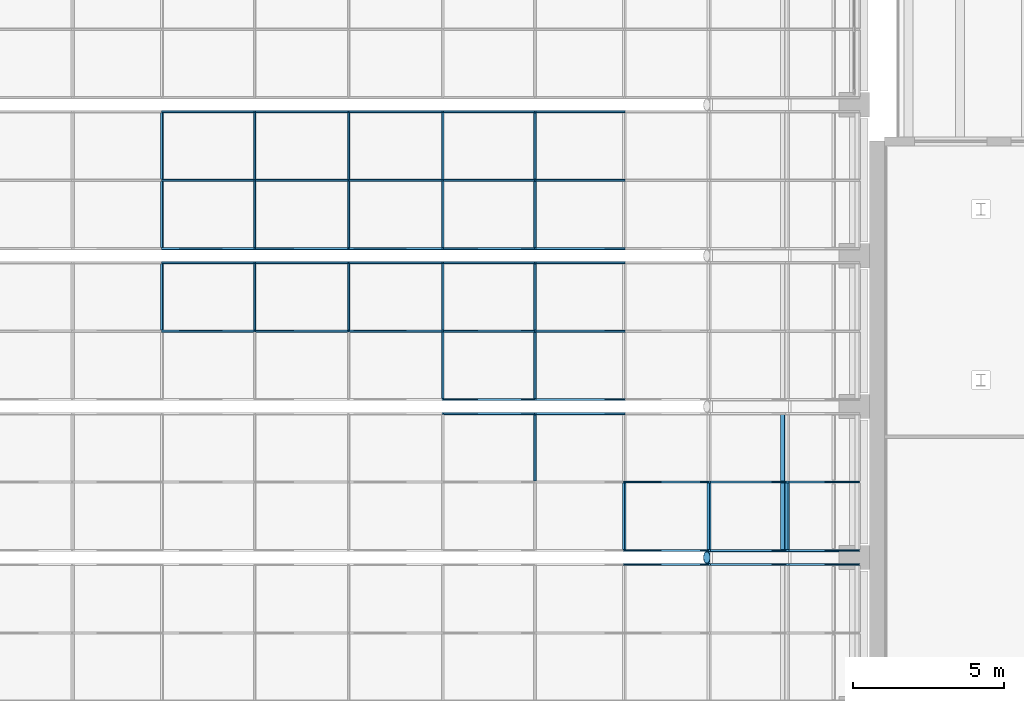
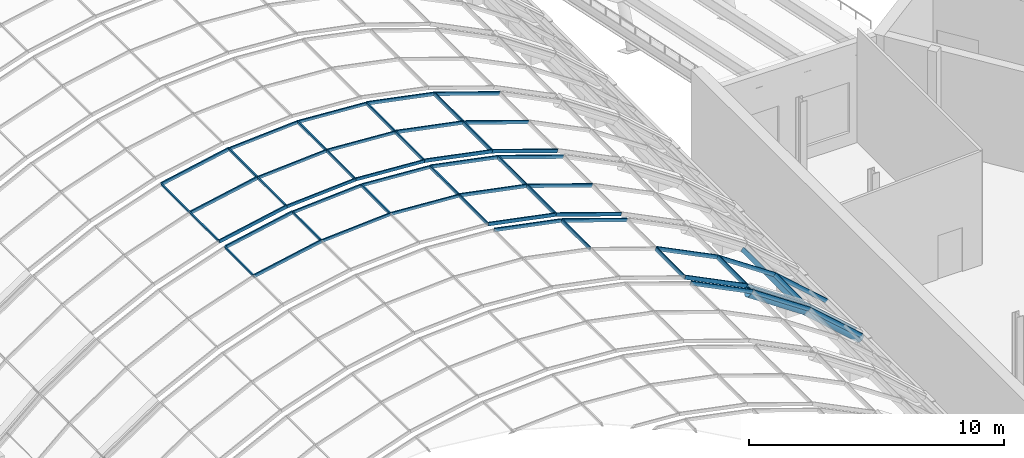
# One storey, part 81 of 182: 62 members, 4 elements without a shape of their own.
"""IFC4 building model written with IfcOpenShell, lengths in metres."""

import ifcopenshell
import ifcopenshell.guid

model = None  # the IFC model being written
_history = None  # IfcOwnerHistory: only IFC2X3 demands one
_inside = {}  # id of a spatial element -> (the spatial element, [elements in it])
_under = {}  # id of a project, library or spatial element -> (it, [spatial elements below it])
_declared = {}  # id of a project -> (the project, [libraries it declares])
_typed = {}  # id of a type object -> (the type object, [elements of that type])
_made_of = {}  # id of a material, layer set ... -> (it, [elements and type objects made of it])


def new_model(schema):
    """Start an empty IFC model of exactly this schema.

    Asked for "IFC4X3", IfcOpenShell would pick the latest addendum, in which some entities
    have other attributes; the version numbers below select the first issue.
    IFC2X3 requires an IfcOwnerHistory on every rooted entity: one is made here for all.
    """
    global model, _history
    if schema == "IFC4X3":
        model = ifcopenshell.file(schema_version=(4, 3, 0, 0))
    else:
        model = ifcopenshell.file(schema=schema)
    _inside.clear()
    _under.clear()
    _declared.clear()
    _typed.clear()
    _made_of.clear()
    _history = None
    if model.schema == "IFC2X3":
        org = make("IfcOrganization", Name="unknown")
        user = make(
            "IfcPersonAndOrganization",
            ThePerson=make("IfcPerson", FamilyName="unknown"),
            TheOrganization=org,
        )
        app = make(
            "IfcApplication",
            ApplicationDeveloper=org,
            Version="unknown",
            ApplicationFullName="unknown",
            ApplicationIdentifier="unknown",
        )
        _history = make(
            "IfcOwnerHistory",
            OwningUser=user,
            OwningApplication=app,
            ChangeAction="ADDED",
            CreationDate=0,
        )
    return model


def make(cls, **values):
    """One entity of the class cls with the attributes given. An attribute that is None is left unset."""
    return model.create_entity(
        cls, **{name: value for name, value in values.items() if value is not None}
    )


def rooted(cls, **values):
    """An entity with a GlobalId (a new one), such as an element, a storey or a relation."""
    return make(cls, GlobalId=ifcopenshell.guid.new(), OwnerHistory=_history, **values)


def si_unit(unit_type, name, prefix=None):
    """IfcSIUnit, for example si_unit("LENGTHUNIT", "METRE", prefix="MILLI")."""
    return make("IfcSIUnit", UnitType=unit_type, Prefix=prefix, Name=name)


def assignment(units):
    """IfcUnitAssignment: the units of a project."""
    return None if units is None else make("IfcUnitAssignment", Units=units)


def point(xyz):
    """IfcCartesianPoint."""
    return None if xyz is None else make("IfcCartesianPoint", Coordinates=xyz)


def direction(xyz):
    """IfcDirection."""
    return None if xyz is None else make("IfcDirection", DirectionRatios=xyz)


def frame(location, z_axis=None, x_axis=None):
    """IfcAxis2Placement3D, a coordinate frame: its origin and axes. An axis left out is left unset."""
    return make(
        "IfcAxis2Placement3D",
        Location=point(location),
        Axis=direction(z_axis),
        RefDirection=direction(x_axis),
    )


def frame_2d(location, x_axis=None):
    """IfcAxis2Placement2D, a coordinate frame in the plane: its origin and x axis."""
    return make(
        "IfcAxis2Placement2D", Location=point(location), RefDirection=direction(x_axis)
    )


def origin():
    """The frame at (0, 0, 0) with its axes left unset."""
    return frame((0.0, 0.0, 0.0))


def origin_2d():
    """The frame at (0, 0) in the plane with its x axis left unset."""
    return frame_2d((0.0, 0.0))


def place(relative_to, where):
    """IfcLocalPlacement: puts the frame where relative to a parent placement (None: the world)."""
    return make(
        "IfcLocalPlacement", PlacementRelTo=relative_to, RelativePlacement=where
    )


def context(
    kind, dimensions, precision=None, world=None, true_north=None, identifier=None
):
    """IfcGeometricRepresentationContext, for example the 3D "Model" context."""
    return make(
        "IfcGeometricRepresentationContext",
        ContextIdentifier=identifier,
        ContextType=kind,
        CoordinateSpaceDimension=dimensions,
        Precision=precision,
        WorldCoordinateSystem=world,
        TrueNorth=true_north,
    )


def subcontext(parent, identifier, kind, view, scale=None):
    """IfcGeometricRepresentationSubContext, for example "Body" below "Model"."""
    return make(
        "IfcGeometricRepresentationSubContext",
        ContextIdentifier=identifier,
        ContextType=kind,
        ParentContext=parent,
        TargetScale=scale,
        TargetView=view,
    )


def project(units=None, contexts=None):
    """IfcProject with its units and contexts."""
    return rooted(
        "IfcProject",
        Name="project",
        RepresentationContexts=contexts,
        UnitsInContext=assignment(units),
    )


def spatial(cls, under=None, at=None, **own):
    """A site, building, storey or space (cls), placed at a placement, below another one or the project."""
    s = rooted(cls, ObjectPlacement=at, **own)
    if under is not None:
        _under.setdefault(under.id(), (under, []))[1].append(s)
    return s


def profile(cls, at=None, kind="AREA", **sizes):
    """A parametric profile (cls). Its sizes go by their IFC names, for example OverallWidth=200.0."""
    return make(cls, ProfileType=kind, Position=at, **sizes)


def rectangle(**sizes):
    """IfcRectangleProfileDef."""
    return profile("IfcRectangleProfileDef", **sizes)


def hollow_rectangle(**sizes):
    """IfcRectangleHollowProfileDef."""
    return profile("IfcRectangleHollowProfileDef", **sizes)


def hollow_circle(**sizes):
    """IfcCircleHollowProfileDef."""
    return profile("IfcCircleHollowProfileDef", **sizes)


def extrude(swept, where, along, depth):
    """IfcExtrudedAreaSolid: the profile swept, set in the frame where, extruded along a direction by depth."""
    return make(
        "IfcExtrudedAreaSolid",
        SweptArea=swept,
        Position=where,
        ExtrudedDirection=direction(along),
        Depth=depth,
    )


def shape(context_of_items, identifier, shape_type, items):
    """IfcShapeRepresentation: the items that make up one representation, for example the "Body"."""
    return make(
        "IfcShapeRepresentation",
        ContextOfItems=context_of_items,
        RepresentationIdentifier=identifier,
        RepresentationType=shape_type,
        Items=items,
    )


def material(Name=None, Category=None):
    """IfcMaterial."""
    return make("IfcMaterial", Name=Name, Category=Category)


def material_profile(
    of_material, cross_section, Name=None, Category=None, Priority=None
):
    """IfcMaterialProfile: a cross section and its material."""
    return make(
        "IfcMaterialProfile",
        Name=Name,
        Material=of_material,
        Profile=cross_section,
        Priority=Priority,
        Category=Category,
    )


def profile_set(profiles, Name=None, composite=None):
    """IfcMaterialProfileSet."""
    return make(
        "IfcMaterialProfileSet",
        Name=Name,
        MaterialProfiles=profiles,
        CompositeProfile=composite,
    )


def made_of(thing, what):
    """Note that an element or type object is made of a material, layer set ...; save() writes the relation."""
    if what is not None:
        _made_of.setdefault(what.id(), (what, []))[1].append(thing)
    return thing


def type_object(cls, material=None, **own):
    """A type object (cls), such as IfcWallType, which elements share."""
    return made_of(rooted(cls, **own), material)


def element(
    cls,
    number,
    at=None,
    inside=None,
    cuts=None,
    type_object=None,
    material=None,
    context=None,
    identifier="Body",
    shape_type=None,
    held_by="IfcProductDefinitionShape",
    body=None,
    shapes=None,
    **own,
):
    """One element of the class cls, such as IfcWall. Its Tag is "e" and its number.

    at: its placement. inside: the storey or other place that contains it. cuts: it is an
    opening in that element (IfcRelVoidsElement). A single representation is given by context,
    identifier, shape_type and body (its items); several are given by shapes. held_by: the class
    of the entity that holds the representations. save() writes the other relations.
    """
    e = rooted(cls, Tag="e%d" % number, ObjectPlacement=at, **own)
    if body is not None:
        shapes = [shape(context, identifier, shape_type, body)]
    if shapes is not None:
        e.Representation = make(held_by, Representations=shapes)
    if inside is not None:
        _inside.setdefault(inside.id(), (inside, []))[1].append(e)
    if cuts is not None:
        rooted(
            "IfcRelVoidsElement", RelatingBuildingElement=cuts, RelatedOpeningElement=e
        )
    if type_object is not None:
        _typed.setdefault(type_object.id(), (type_object, []))[1].append(e)
    return made_of(e, material)


def aggregate(whole, parts):
    """IfcRelAggregates: a whole, such as a stair, and the parts it consists of."""
    return rooted("IfcRelAggregates", RelatingObject=whole, RelatedObjects=parts)


def save(model, path):
    """Write the relations noted so far, then the file.

    IfcRelAggregates (storeys below a building ...), IfcRelContainedInSpatialStructure (elements
    in a storey), IfcRelDefinesByType, IfcRelAssociatesMaterial and IfcRelDeclares: one each for
    every whole, place, type object, material and project.
    """
    for whole, parts in _under.values():
        aggregate(whole, parts)
    for where, things in _inside.values():
        rooted(
            "IfcRelContainedInSpatialStructure",
            RelatedElements=things,
            RelatingStructure=where,
        )
    for kind, things in _typed.values():
        rooted("IfcRelDefinesByType", RelatedObjects=things, RelatingType=kind)
    for what, things in _made_of.values():
        rooted("IfcRelAssociatesMaterial", RelatedObjects=things, RelatingMaterial=what)
    for by, libraries in _declared.values():
        rooted("IfcRelDeclares", RelatingContext=by, RelatedDefinitions=libraries)
    model.write(path)


model = new_model("IFC4")

# Units and contexts
model_context = context("Model", 3, precision=1e-05, world=origin(), true_north=direction((0.0, 1.0)))
body_context = subcontext(model_context, "Body", "Model", "MODEL_VIEW")
ifc_project = project(units=[si_unit("LENGTHUNIT", "METRE"), si_unit("AREAUNIT", "SQUARE_METRE"), si_unit("VOLUMEUNIT", "CUBIC_METRE"), si_unit("PLANEANGLEUNIT", "RADIAN"), si_unit("MASSUNIT", "GRAM", prefix="KILO")], contexts=[model_context])

# Site, building, storey
site_placement = place(None, origin())
site = spatial("IfcSite", under=ifc_project, at=site_placement, CompositionType="ELEMENT")
building_placement = place(site_placement, origin())
building = spatial("IfcBuilding", under=site, at=building_placement, Name="Okhra Congress Centre", CompositionType="ELEMENT")
storey_placement = place(building_placement, frame((0.0, 0.0, 7.199951171875)))
storey = spatial("IfcBuildingStorey", under=building, at=storey_placement, Name="L01", CompositionType="ELEMENT", Elevation=7.199951171875)

# Curtain wall, members
ifc_material_1 = material(Name="Aluminium frame with triple glazing", Category="aluminium")
curtain_wall_type = type_object("IfcCurtainWallType", Name="Glazed vault bay curtain wall", PredefinedType="NOTDEFINED", material=ifc_material_1)
curtain_wall_1_placement = place(storey_placement, origin())
curtain_wall_1 = element("IfcCurtainWall", 1, at=curtain_wall_1_placement, inside=storey, type_object=curtain_wall_type, Name="Vault glazing bay 24", PredefinedType="NOTDEFINED")
ifc_material_2 = material(Name="Aluminium alloy 6063", Category="aluminium")
ifc_material_profile_1 = material_profile(ifc_material_2, rectangle(XDim=0.06005859375, YDim=0.139892578125, at=origin_2d()), Name="AL 60x140")
ifc_profile_set_1 = profile_set([ifc_material_profile_1], Name="Aluminium alloy 6063")
member_type_1 = type_object("IfcMemberType", Name="Aluminium mullion 60x140", PredefinedType="MULLION", material=ifc_profile_set_1)
member_1_placement = place(storey_placement, frame((169.1337890625, 193.5, 8.7392578125), z_axis=(0.997826129775, 0.0, 0.065901553385), x_axis=(0.0, 1.0, 0.0)))
member_1 = element("IfcMember", 2, at=member_1_placement, type_object=member_type_1, Name="Vault mullion 24.2.6", PredefinedType="MULLION", context=body_context, shape_type="SweptSolid", body=[
    extrude(rectangle(XDim=0.06005859375, YDim=0.139892578125, at=origin_2d()), origin(), (0.0, 0.0, 1.0), 3.123046875),
])
member_2_placement = place(storey_placement, frame((172.25, 193.5, 8.945068359375), z_axis=(0.997826129775, 0.0, -0.065901553385), x_axis=(0.0, 1.0, 0.0)))
member_2 = element("IfcMember", 3, at=member_2_placement, type_object=member_type_1, Name="Vault mullion 24.2.7", PredefinedType="MULLION", context=body_context, shape_type="SweptSolid", body=[
    extrude(rectangle(XDim=0.06005859375, YDim=0.139892578125, at=origin_2d()), origin(), (0.0, 0.0, 1.0), 3.123046875),
])
member_3_placement = place(storey_placement, frame((169.1337890625, 195.766845703125, 8.7392578125), z_axis=(0.997826129775, 0.0, 0.065901553385), x_axis=(0.0, 1.0, 0.0)))
member_3 = element("IfcMember", 4, at=member_3_placement, type_object=member_type_1, Name="Vault mullion 24.3.6", PredefinedType="MULLION", context=body_context, shape_type="SweptSolid", body=[
    extrude(rectangle(XDim=0.06005859375, YDim=0.139892578125, at=origin_2d()), origin(), (0.0, 0.0, 1.0), 3.123046875),
])
member_4_placement = place(storey_placement, frame((172.25, 195.766845703125, 8.945068359375), z_axis=(0.997826129775, 0.0, -0.065901553385), x_axis=(0.0, 1.0, 0.0)))
member_4 = element("IfcMember", 5, at=member_4_placement, type_object=member_type_1, Name="Vault mullion 24.3.7", PredefinedType="MULLION", context=body_context, shape_type="SweptSolid", body=[
    extrude(rectangle(XDim=0.06005859375, YDim=0.139892578125, at=origin_2d()), origin(), (0.0, 0.0, 1.0), 3.123046875),
])

curtain_wall_2_placement = place(storey_placement, origin())
curtain_wall_2 = element("IfcCurtainWall", 6, at=curtain_wall_2_placement, inside=storey, type_object=curtain_wall_type, Name="Vault glazing bay 25", PredefinedType="NOTDEFINED")
member_5_placement = place(storey_placement, frame((169.1337890625, 196.233154296875, 8.7392578125), z_axis=(0.997826129775, 0.0, 0.065901553385), x_axis=(0.0, 1.0, 0.0)))
member_5 = element("IfcMember", 7, at=member_5_placement, type_object=member_type_1, Name="Vault mullion 25.1.6", PredefinedType="MULLION", context=body_context, shape_type="SweptSolid", body=[
    extrude(rectangle(XDim=0.06005859375, YDim=0.139892578125, at=origin_2d()), origin(), (0.0, 0.0, 1.0), 3.123046875),
])
member_6_placement = place(storey_placement, frame((172.25, 196.233154296875, 8.945068359375), z_axis=(0.997826129775, 0.0, -0.065901553385), x_axis=(0.0, 1.0, 0.0)))
member_6 = element("IfcMember", 8, at=member_6_placement, type_object=member_type_1, Name="Vault mullion 25.1.7", PredefinedType="MULLION", context=body_context, shape_type="SweptSolid", body=[
    extrude(rectangle(XDim=0.06005859375, YDim=0.139892578125, at=origin_2d()), origin(), (0.0, 0.0, 1.0), 3.123046875),
])
member_7_placement = place(storey_placement, frame((169.1337890625, 198.5, 8.7392578125), z_axis=(0.997826129775, 0.0, 0.065901553385), x_axis=(0.0, 1.0, 0.0)))
member_7 = element("IfcMember", 9, at=member_7_placement, type_object=member_type_1, Name="Vault mullion 25.2.6", PredefinedType="MULLION", context=body_context, shape_type="SweptSolid", body=[
    extrude(rectangle(XDim=0.06005859375, YDim=0.139892578125, at=origin_2d()), origin(), (0.0, 0.0, 1.0), 3.123046875),
])
member_8_placement = place(storey_placement, frame((172.25, 198.5, 8.945068359375), z_axis=(0.997826129775, 0.0, -0.065901553385), x_axis=(0.0, 1.0, 0.0)))
member_8 = element("IfcMember", 10, at=member_8_placement, type_object=member_type_1, Name="Vault mullion 25.2.7", PredefinedType="MULLION", context=body_context, shape_type="SweptSolid", body=[
    extrude(rectangle(XDim=0.06005859375, YDim=0.139892578125, at=origin_2d()), origin(), (0.0, 0.0, 1.0), 3.123046875),
])
member_9_placement = place(storey_placement, frame((169.1337890625, 200.766845703125, 8.7392578125), z_axis=(0.997826129775, 0.0, 0.065901553385), x_axis=(0.0, 1.0, 0.0)))
member_9 = element("IfcMember", 11, at=member_9_placement, type_object=member_type_1, Name="Vault mullion 25.3.6", PredefinedType="MULLION", context=body_context, shape_type="SweptSolid", body=[
    extrude(rectangle(XDim=0.06005859375, YDim=0.139892578125, at=origin_2d()), origin(), (0.0, 0.0, 1.0), 3.123046875),
])
member_10_placement = place(storey_placement, frame((172.25, 200.766845703125, 8.945068359375), z_axis=(0.997826129775, 0.0, -0.065901553385), x_axis=(0.0, 1.0, 0.0)))
member_10 = element("IfcMember", 12, at=member_10_placement, type_object=member_type_1, Name="Vault mullion 25.3.7", PredefinedType="MULLION", context=body_context, shape_type="SweptSolid", body=[
    extrude(rectangle(XDim=0.06005859375, YDim=0.139892578125, at=origin_2d()), origin(), (0.0, 0.0, 1.0), 3.123046875),
])

curtain_wall_3_placement = place(storey_placement, origin())
curtain_wall_3 = element("IfcCurtainWall", 13, at=curtain_wall_3_placement, inside=storey, type_object=curtain_wall_type, Name="Vault glazing bay 23", PredefinedType="NOTDEFINED")
ifc_material_profile_2 = material_profile(ifc_material_2, rectangle(XDim=0.06005859375, YDim=0.159912109375, at=origin_2d()), Name="AL 60x160")
ifc_profile_set_2 = profile_set([ifc_material_profile_2], Name="Aluminium alloy 6063")
member_type_2 = type_object("IfcMemberType", Name="Aluminium mullion 60x160", PredefinedType="MULLION", material=ifc_profile_set_2)
member_11_placement = place(storey_placement, frame((175.367431640625, 190.766845703125, 8.7490234375), z_axis=(0.980484387086, 0.0, -0.196596965087), x_axis=(0.0, 1.0, 0.0)))
member_11 = element("IfcMember", 14, at=member_11_placement, type_object=member_type_2, Name="Vault mullion 23.3.8", PredefinedType="MULLION", context=body_context, shape_type="SweptSolid", body=[
    extrude(rectangle(XDim=0.06005859375, YDim=0.159912109375, at=origin_2d()), origin(), (0.0, 0.0, 1.0), 3.12451171875),
])
member_12_placement = place(storey_placement, frame((178.430908203125, 190.766845703125, 8.134765625), z_axis=(0.946065064306, 0.0, -0.323976687587), x_axis=(0.0, 1.0, 0.0)))
member_12 = element("IfcMember", 15, at=member_12_placement, type_object=member_type_2, Name="Vault mullion 23.3.9", PredefinedType="MULLION", context=body_context, shape_type="SweptSolid", body=[
    extrude(rectangle(XDim=0.06005859375, YDim=0.159912109375, at=origin_2d()), origin(), (0.0, 0.0, 1.0), 3.124267578125),
])

# Member
member_13_placement = place(storey_placement, frame((175.367431640625, 191.233154296875, 8.7490234375), z_axis=(0.980484387086, 0.0, -0.196596965087), x_axis=(0.0, 1.0, 0.0)))
member_13 = element("IfcMember", 16, at=member_13_placement, type_object=member_type_2, Name="Vault mullion 24.1.8", PredefinedType="MULLION", context=body_context, shape_type="SweptSolid", body=[
    extrude(rectangle(XDim=0.06005859375, YDim=0.159912109375, at=origin_2d()), origin(), (0.0, 0.0, 1.0), 3.12451171875),
])

member_14_placement = place(storey_placement, frame((178.430908203125, 191.233154296875, 8.134765625), z_axis=(0.946065064306, 0.0, -0.323976687587), x_axis=(0.0, 1.0, 0.0)))
member_14 = element("IfcMember", 17, at=member_14_placement, type_object=member_type_2, Name="Vault mullion 24.1.9", PredefinedType="MULLION", context=body_context, shape_type="SweptSolid", body=[
    extrude(rectangle(XDim=0.06005859375, YDim=0.159912109375, at=origin_2d()), origin(), (0.0, 0.0, 1.0), 3.124267578125),
])

member_15_placement = place(storey_placement, frame((166.069091796875, 193.5, 8.134765625), z_axis=(0.980484387086, 0.0, 0.196596965087), x_axis=(0.0, 1.0, 0.0)))
member_15 = element("IfcMember", 18, at=member_15_placement, type_object=member_type_2, Name="Vault mullion 24.2.5", PredefinedType="MULLION", context=body_context, shape_type="SweptSolid", body=[
    extrude(rectangle(XDim=0.06005859375, YDim=0.159912109375, at=origin_2d()), origin(), (0.0, 0.0, 1.0), 3.12451171875),
])

member_16_placement = place(storey_placement, frame((175.367431640625, 193.5, 8.7490234375), z_axis=(0.980484387086, 0.0, -0.196596965087), x_axis=(0.0, 1.0, 0.0)))
member_16 = element("IfcMember", 19, at=member_16_placement, type_object=member_type_2, Name="Vault mullion 24.2.8", PredefinedType="MULLION", context=body_context, shape_type="SweptSolid", body=[
    extrude(rectangle(XDim=0.06005859375, YDim=0.159912109375, at=origin_2d()), origin(), (0.0, 0.0, 1.0), 3.12451171875),
])

member_17_placement = place(storey_placement, frame((178.430908203125, 193.5, 8.134765625), z_axis=(0.946065064306, 0.0, -0.323976687587), x_axis=(0.0, 1.0, 0.0)))
member_17 = element("IfcMember", 20, at=member_17_placement, type_object=member_type_2, Name="Vault mullion 24.2.9", PredefinedType="MULLION", context=body_context, shape_type="SweptSolid", body=[
    extrude(rectangle(XDim=0.06005859375, YDim=0.159912109375, at=origin_2d()), origin(), (0.0, 0.0, 1.0), 3.124267578125),
])

member_18_placement = place(storey_placement, frame((166.069091796875, 195.766845703125, 8.134765625), z_axis=(0.980484387086, 0.0, 0.196596965087), x_axis=(0.0, 1.0, 0.0)))
member_18 = element("IfcMember", 21, at=member_18_placement, type_object=member_type_2, Name="Vault mullion 24.3.5", PredefinedType="MULLION", context=body_context, shape_type="SweptSolid", body=[
    extrude(rectangle(XDim=0.06005859375, YDim=0.159912109375, at=origin_2d()), origin(), (0.0, 0.0, 1.0), 3.12451171875),
])

member_19_placement = place(storey_placement, frame((175.367431640625, 195.766845703125, 8.7490234375), z_axis=(0.980484387086, 0.0, -0.196596965087), x_axis=(0.0, 1.0, 0.0)))
member_19 = element("IfcMember", 22, at=member_19_placement, type_object=member_type_2, Name="Vault mullion 24.3.8", PredefinedType="MULLION", context=body_context, shape_type="SweptSolid", body=[
    extrude(rectangle(XDim=0.06005859375, YDim=0.159912109375, at=origin_2d()), origin(), (0.0, 0.0, 1.0), 3.12451171875),
])

member_20_placement = place(storey_placement, frame((178.430908203125, 195.766845703125, 8.134765625), z_axis=(0.946065064306, 0.0, -0.323976687587), x_axis=(0.0, 1.0, 0.0)))
member_20 = element("IfcMember", 23, at=member_20_placement, type_object=member_type_2, Name="Vault mullion 24.3.9", PredefinedType="MULLION", context=body_context, shape_type="SweptSolid", body=[
    extrude(rectangle(XDim=0.06005859375, YDim=0.159912109375, at=origin_2d()), origin(), (0.0, 0.0, 1.0), 3.124267578125),
])

member_21_placement = place(storey_placement, frame((166.069091796875, 196.233154296875, 8.134765625), z_axis=(0.980484387086, 0.0, 0.196596965087), x_axis=(0.0, 1.0, 0.0)))
member_21 = element("IfcMember", 24, at=member_21_placement, type_object=member_type_2, Name="Vault mullion 25.1.5", PredefinedType="MULLION", context=body_context, shape_type="SweptSolid", body=[
    extrude(rectangle(XDim=0.06005859375, YDim=0.159912109375, at=origin_2d()), origin(), (0.0, 0.0, 1.0), 3.12451171875),
])

member_22_placement = place(storey_placement, frame((175.367431640625, 196.233154296875, 8.7490234375), z_axis=(0.980484387086, 0.0, -0.196596965087), x_axis=(0.0, 1.0, 0.0)))
member_22 = element("IfcMember", 25, at=member_22_placement, type_object=member_type_2, Name="Vault mullion 25.1.8", PredefinedType="MULLION", context=body_context, shape_type="SweptSolid", body=[
    extrude(rectangle(XDim=0.06005859375, YDim=0.159912109375, at=origin_2d()), origin(), (0.0, 0.0, 1.0), 3.12451171875),
])

member_23_placement = place(storey_placement, frame((178.430908203125, 196.233154296875, 8.134765625), z_axis=(0.946065064306, 0.0, -0.323976687587), x_axis=(0.0, 1.0, 0.0)))
member_23 = element("IfcMember", 26, at=member_23_placement, type_object=member_type_2, Name="Vault mullion 25.1.9", PredefinedType="MULLION", context=body_context, shape_type="SweptSolid", body=[
    extrude(rectangle(XDim=0.06005859375, YDim=0.159912109375, at=origin_2d()), origin(), (0.0, 0.0, 1.0), 3.124267578125),
])

member_24_placement = place(storey_placement, frame((166.069091796875, 198.5, 8.134765625), z_axis=(0.980484387086, 0.0, 0.196596965087), x_axis=(0.0, 1.0, 0.0)))
member_24 = element("IfcMember", 27, at=member_24_placement, type_object=member_type_2, Name="Vault mullion 25.2.5", PredefinedType="MULLION", context=body_context, shape_type="SweptSolid", body=[
    extrude(rectangle(XDim=0.06005859375, YDim=0.159912109375, at=origin_2d()), origin(), (0.0, 0.0, 1.0), 3.12451171875),
])

member_25_placement = place(storey_placement, frame((175.367431640625, 198.5, 8.7490234375), z_axis=(0.980484387086, 0.0, -0.196596965087), x_axis=(0.0, 1.0, 0.0)))
member_25 = element("IfcMember", 28, at=member_25_placement, type_object=member_type_2, Name="Vault mullion 25.2.8", PredefinedType="MULLION", context=body_context, shape_type="SweptSolid", body=[
    extrude(rectangle(XDim=0.06005859375, YDim=0.159912109375, at=origin_2d()), origin(), (0.0, 0.0, 1.0), 3.12451171875),
])

member_26_placement = place(storey_placement, frame((178.430908203125, 198.5, 8.134765625), z_axis=(0.946065064306, 0.0, -0.323976687587), x_axis=(0.0, 1.0, 0.0)))
member_26 = element("IfcMember", 29, at=member_26_placement, type_object=member_type_2, Name="Vault mullion 25.2.9", PredefinedType="MULLION", context=body_context, shape_type="SweptSolid", body=[
    extrude(rectangle(XDim=0.06005859375, YDim=0.159912109375, at=origin_2d()), origin(), (0.0, 0.0, 1.0), 3.124267578125),
])

member_27_placement = place(storey_placement, frame((166.069091796875, 200.766845703125, 8.134765625), z_axis=(0.980484387086, 0.0, 0.196596965087), x_axis=(0.0, 1.0, 0.0)))
member_27 = element("IfcMember", 30, at=member_27_placement, type_object=member_type_2, Name="Vault mullion 25.3.5", PredefinedType="MULLION", context=body_context, shape_type="SweptSolid", body=[
    extrude(rectangle(XDim=0.06005859375, YDim=0.159912109375, at=origin_2d()), origin(), (0.0, 0.0, 1.0), 3.12451171875),
])

member_28_placement = place(storey_placement, frame((175.367431640625, 200.766845703125, 8.7490234375), z_axis=(0.980484387086, 0.0, -0.196596965087), x_axis=(0.0, 1.0, 0.0)))
member_28 = element("IfcMember", 31, at=member_28_placement, type_object=member_type_2, Name="Vault mullion 25.3.8", PredefinedType="MULLION", context=body_context, shape_type="SweptSolid", body=[
    extrude(rectangle(XDim=0.06005859375, YDim=0.159912109375, at=origin_2d()), origin(), (0.0, 0.0, 1.0), 3.12451171875),
])

member_29_placement = place(storey_placement, frame((178.430908203125, 200.766845703125, 8.134765625), z_axis=(0.946065064306, 0.0, -0.323976687587), x_axis=(0.0, 1.0, 0.0)))
member_29 = element("IfcMember", 32, at=member_29_placement, type_object=member_type_2, Name="Vault mullion 25.3.9", PredefinedType="MULLION", context=body_context, shape_type="SweptSolid", body=[
    extrude(rectangle(XDim=0.06005859375, YDim=0.159912109375, at=origin_2d()), origin(), (0.0, 0.0, 1.0), 3.124267578125),
])

# Curtain wall, members
curtain_wall_4_placement = place(storey_placement, origin())
curtain_wall_4 = element("IfcCurtainWall", 33, at=curtain_wall_4_placement, inside=storey, type_object=curtain_wall_type, Name="Vault glazing bay 22", PredefinedType="NOTDEFINED")
ifc_material_profile_3 = material_profile(ifc_material_2, rectangle(XDim=0.06005859375, YDim=0.179931640625, at=origin_2d()), Name="AL 60x180")
ifc_profile_set_3 = profile_set([ifc_material_profile_3], Name="Aluminium alloy 6063")
member_type_3 = type_object("IfcMemberType", Name="Aluminium mullion 60x180", PredefinedType="MULLION", material=ifc_profile_set_3)
member_30_placement = place(storey_placement, frame((181.390625, 185.766845703125, 7.1318359375), z_axis=(0.895253656313, 0.0, -0.445556832354), x_axis=(0.0, 1.0, 0.0)))
member_30 = element("IfcMember", 34, at=member_30_placement, type_object=member_type_3, Name="Vault mullion 22.3.10", PredefinedType="MULLION", context=body_context, shape_type="SweptSolid", body=[
    extrude(rectangle(XDim=0.06005859375, YDim=0.179931640625, at=origin_2d()), origin(), (0.0, 0.0, 1.0), 3.12548828125),
])
member_31_placement = place(storey_placement, frame((184.188720703125, 185.766845703125, 5.7392578125), z_axis=(0.828827846338, 0.0, -0.559503709671), x_axis=(0.0, 1.0, 0.0)))
member_31 = element("IfcMember", 35, at=member_31_placement, type_object=member_type_3, Name="Vault mullion 22.3.11", PredefinedType="MULLION", context=body_context, shape_type="SweptSolid", body=[
    extrude(rectangle(XDim=0.06005859375, YDim=0.179931640625, at=origin_2d()), origin(), (0.0, 0.0, 1.0), 3.12548828125),
])
member_32_placement = place(storey_placement, frame((186.779296875, 185.766845703125, 3.990478515625), z_axis=(0.748025229923, 0.0, -0.663670291183), x_axis=(0.0, 1.0, 0.0)))
member_32 = element("IfcMember", 36, at=member_32_placement, type_object=member_type_3, Name="Vault mullion 22.3.12", PredefinedType="MULLION", context=body_context, shape_type="SweptSolid", body=[
    extrude(rectangle(XDim=0.06005859375, YDim=0.179931640625, at=origin_2d()), origin(), (0.0, 0.0, 1.0), 3.125732421875),
])
aggregate(curtain_wall_4, [member_30, member_31, member_32])

# Member
member_33_placement = place(storey_placement, frame((181.390625, 186.233154296875, 7.1318359375), z_axis=(0.895253656313, 0.0, -0.445556832354), x_axis=(0.0, 1.0, 0.0)))
member_33 = element("IfcMember", 37, at=member_33_placement, type_object=member_type_3, Name="Vault mullion 23.1.10", PredefinedType="MULLION", context=body_context, shape_type="SweptSolid", body=[
    extrude(rectangle(XDim=0.06005859375, YDim=0.179931640625, at=origin_2d()), origin(), (0.0, 0.0, 1.0), 3.12548828125),
])

member_34_placement = place(storey_placement, frame((184.188720703125, 186.233154296875, 5.7392578125), z_axis=(0.828827846338, 0.0, -0.559503709671), x_axis=(0.0, 1.0, 0.0)))
member_34 = element("IfcMember", 38, at=member_34_placement, type_object=member_type_3, Name="Vault mullion 23.1.11", PredefinedType="MULLION", context=body_context, shape_type="SweptSolid", body=[
    extrude(rectangle(XDim=0.06005859375, YDim=0.179931640625, at=origin_2d()), origin(), (0.0, 0.0, 1.0), 3.12548828125),
])

member_35_placement = place(storey_placement, frame((186.779296875, 186.233154296875, 3.990478515625), z_axis=(0.748025229923, 0.0, -0.663670291183), x_axis=(0.0, 1.0, 0.0)))
member_35 = element("IfcMember", 39, at=member_35_placement, type_object=member_type_3, Name="Vault mullion 23.1.12", PredefinedType="MULLION", context=body_context, shape_type="SweptSolid", body=[
    extrude(rectangle(XDim=0.06005859375, YDim=0.179931640625, at=origin_2d()), origin(), (0.0, 0.0, 1.0), 3.125732421875),
])

member_36_placement = place(storey_placement, frame((181.390625, 188.5, 7.1318359375), z_axis=(0.895253656313, 0.0, -0.445556832354), x_axis=(0.0, 1.0, 0.0)))
member_36 = element("IfcMember", 40, at=member_36_placement, type_object=member_type_3, Name="Vault mullion 23.2.10", PredefinedType="MULLION", context=body_context, shape_type="SweptSolid", body=[
    extrude(rectangle(XDim=0.06005859375, YDim=0.179931640625, at=origin_2d()), origin(), (0.0, 0.0, 1.0), 3.12548828125),
])

member_37_placement = place(storey_placement, frame((184.188720703125, 188.5, 5.7392578125), z_axis=(0.828827846338, 0.0, -0.559503709671), x_axis=(0.0, 1.0, 0.0)))
member_37 = element("IfcMember", 41, at=member_37_placement, type_object=member_type_3, Name="Vault mullion 23.2.11", PredefinedType="MULLION", context=body_context, shape_type="SweptSolid", body=[
    extrude(rectangle(XDim=0.06005859375, YDim=0.179931640625, at=origin_2d()), origin(), (0.0, 0.0, 1.0), 3.12548828125),
])

member_38_placement = place(storey_placement, frame((186.779296875, 188.5, 3.990478515625), z_axis=(0.748025229923, 0.0, -0.663670291183), x_axis=(0.0, 1.0, 0.0)))
member_38 = element("IfcMember", 42, at=member_38_placement, type_object=member_type_3, Name="Vault mullion 23.2.12", PredefinedType="MULLION", context=body_context, shape_type="SweptSolid", body=[
    extrude(rectangle(XDim=0.06005859375, YDim=0.179931640625, at=origin_2d()), origin(), (0.0, 0.0, 1.0), 3.125732421875),
])

ifc_material_profile_4 = material_profile(ifc_material_2, rectangle(XDim=0.06005859375, YDim=0.139892578125, at=origin_2d()), Name="AL 60x140 transom")
ifc_profile_set_4 = profile_set([ifc_material_profile_4], Name="Aluminium alloy 6063")
member_type_4 = type_object("IfcMemberType", Name="Aluminium transom 60x140", PredefinedType="USERDEFINED", material=ifc_profile_set_4)
member_39_placement = place(storey_placement, frame((175.3662109375, 191.26318359375, 8.7392578125), z_axis=(0.0, 1.0, 0.0), x_axis=(-0.991307202734, 0.0, 0.131567586459)))
member_39 = element("IfcMember", 43, at=member_39_placement, type_object=member_type_4, Name="Vault transom 24.1.8", ObjectType="TRANSOM", PredefinedType="USERDEFINED", context=body_context, shape_type="SweptSolid", body=[
    extrude(rectangle(XDim=0.06005859375, YDim=0.139892578125, at=origin_2d()), origin(), (0.0, 0.0, 1.0), 2.206787109375),
])

member_40_placement = place(storey_placement, frame((169.1337890625, 193.530029296875, 8.7392578125), z_axis=(0.0, 1.0, 0.0), x_axis=(-0.991307202734, 0.0, -0.131567586459)))
member_40 = element("IfcMember", 44, at=member_40_placement, type_object=member_type_4, Name="Vault transom 24.2.6", ObjectType="TRANSOM", PredefinedType="USERDEFINED", context=body_context, shape_type="SweptSolid", body=[
    extrude(rectangle(XDim=0.06005859375, YDim=0.139892578125, at=origin_2d()), origin(), (0.0, 0.0, 1.0), 2.206787109375),
])

member_41_placement = place(storey_placement, frame((172.25, 193.530029296875, 8.945068359375), z_axis=(0.0, 1.0, 0.0), x_axis=(-1.0, 0.0, 0.0)))
member_41 = element("IfcMember", 45, at=member_41_placement, type_object=member_type_4, Name="Vault transom 24.2.7", ObjectType="TRANSOM", PredefinedType="USERDEFINED", context=body_context, shape_type="SweptSolid", body=[
    extrude(rectangle(XDim=0.06005859375, YDim=0.139892578125, at=origin_2d()), origin(), (0.0, 0.0, 1.0), 2.206787109375),
])

member_42_placement = place(storey_placement, frame((175.3662109375, 193.530029296875, 8.7392578125), z_axis=(0.0, 1.0, 0.0), x_axis=(-0.991307202734, 0.0, 0.131567586459)))
member_42 = element("IfcMember", 46, at=member_42_placement, type_object=member_type_4, Name="Vault transom 24.2.8", ObjectType="TRANSOM", PredefinedType="USERDEFINED", context=body_context, shape_type="SweptSolid", body=[
    extrude(rectangle(XDim=0.06005859375, YDim=0.139892578125, at=origin_2d()), origin(), (0.0, 0.0, 1.0), 2.206787109375),
])

member_43_placement = place(storey_placement, frame((169.1337890625, 196.26318359375, 8.7392578125), z_axis=(0.0, 1.0, 0.0), x_axis=(-0.991307202734, 0.0, -0.131567586459)))
member_43 = element("IfcMember", 47, at=member_43_placement, type_object=member_type_4, Name="Vault transom 25.1.6", ObjectType="TRANSOM", PredefinedType="USERDEFINED", context=body_context, shape_type="SweptSolid", body=[
    extrude(rectangle(XDim=0.06005859375, YDim=0.139892578125, at=origin_2d()), origin(), (0.0, 0.0, 1.0), 2.206787109375),
])

member_44_placement = place(storey_placement, frame((172.25, 196.26318359375, 8.945068359375), z_axis=(0.0, 1.0, 0.0), x_axis=(-1.0, 0.0, 0.0)))
member_44 = element("IfcMember", 48, at=member_44_placement, type_object=member_type_4, Name="Vault transom 25.1.7", ObjectType="TRANSOM", PredefinedType="USERDEFINED", context=body_context, shape_type="SweptSolid", body=[
    extrude(rectangle(XDim=0.06005859375, YDim=0.139892578125, at=origin_2d()), origin(), (0.0, 0.0, 1.0), 2.206787109375),
])

member_45_placement = place(storey_placement, frame((175.3662109375, 196.26318359375, 8.7392578125), z_axis=(0.0, 1.0, 0.0), x_axis=(-0.991307202734, 0.0, 0.131567586459)))
member_45 = element("IfcMember", 49, at=member_45_placement, type_object=member_type_4, Name="Vault transom 25.1.8", ObjectType="TRANSOM", PredefinedType="USERDEFINED", context=body_context, shape_type="SweptSolid", body=[
    extrude(rectangle(XDim=0.06005859375, YDim=0.139892578125, at=origin_2d()), origin(), (0.0, 0.0, 1.0), 2.206787109375),
])

member_46_placement = place(storey_placement, frame((169.1337890625, 198.530029296875, 8.7392578125), z_axis=(0.0, 1.0, 0.0), x_axis=(-0.991307202734, 0.0, -0.131567586459)))
member_46 = element("IfcMember", 50, at=member_46_placement, type_object=member_type_4, Name="Vault transom 25.2.6", ObjectType="TRANSOM", PredefinedType="USERDEFINED", context=body_context, shape_type="SweptSolid", body=[
    extrude(rectangle(XDim=0.06005859375, YDim=0.139892578125, at=origin_2d()), origin(), (0.0, 0.0, 1.0), 2.206787109375),
])

member_47_placement = place(storey_placement, frame((172.25, 198.530029296875, 8.945068359375), z_axis=(0.0, 1.0, 0.0), x_axis=(-1.0, 0.0, 0.0)))
member_47 = element("IfcMember", 51, at=member_47_placement, type_object=member_type_4, Name="Vault transom 25.2.7", ObjectType="TRANSOM", PredefinedType="USERDEFINED", context=body_context, shape_type="SweptSolid", body=[
    extrude(rectangle(XDim=0.06005859375, YDim=0.139892578125, at=origin_2d()), origin(), (0.0, 0.0, 1.0), 2.206787109375),
])

member_48_placement = place(storey_placement, frame((175.3662109375, 198.530029296875, 8.7392578125), z_axis=(0.0, 1.0, 0.0), x_axis=(-0.991307202734, 0.0, 0.131567586459)))
member_48 = element("IfcMember", 52, at=member_48_placement, type_object=member_type_4, Name="Vault transom 25.2.8", ObjectType="TRANSOM", PredefinedType="USERDEFINED", context=body_context, shape_type="SweptSolid", body=[
    extrude(rectangle(XDim=0.06005859375, YDim=0.139892578125, at=origin_2d()), origin(), (0.0, 0.0, 1.0), 2.206787109375),
])

ifc_material_profile_5 = material_profile(ifc_material_2, rectangle(XDim=0.06005859375, YDim=0.159912109375, at=origin_2d()), Name="AL 60x160 transom")
ifc_profile_set_5 = profile_set([ifc_material_profile_5], Name="Aluminium alloy 6063")
member_type_5 = type_object("IfcMemberType", Name="Aluminium transom 60x160", PredefinedType="USERDEFINED", material=ifc_profile_set_5)
member_49_placement = place(storey_placement, frame((181.38671875, 186.26318359375, 7.12255859375), z_axis=(0.0, 1.0, 0.0), x_axis=(-0.922668973833, 0.0, 0.38559300399)))
member_49 = element("IfcMember", 53, at=member_49_placement, type_object=member_type_5, Name="Vault transom 23.1.10", ObjectType="TRANSOM", PredefinedType="USERDEFINED", context=body_context, shape_type="SweptSolid", body=[
    extrude(rectangle(XDim=0.06005859375, YDim=0.159912109375, at=origin_2d()), origin(), (0.0, 0.0, 1.0), 2.206787109375),
])

member_50_placement = place(storey_placement, frame((178.430908203125, 188.530029296875, 8.134765625), z_axis=(0.0, 1.0, 0.0), x_axis=(-0.965379940391, 0.0, 0.260847792191)))
member_50 = element("IfcMember", 54, at=member_50_placement, type_object=member_type_5, Name="Vault transom 23.2.9", ObjectType="TRANSOM", PredefinedType="USERDEFINED", context=body_context, shape_type="SweptSolid", body=[
    extrude(rectangle(XDim=0.06005859375, YDim=0.159912109375, at=origin_2d()), origin(), (0.0, 0.0, 1.0), 2.206787109375),
])

member_51_placement = place(storey_placement, frame((178.430908203125, 191.26318359375, 8.134765625), z_axis=(0.0, 1.0, 0.0), x_axis=(-0.965379940391, 0.0, 0.260847792191)))
member_51 = element("IfcMember", 55, at=member_51_placement, type_object=member_type_5, Name="Vault transom 24.1.9", ObjectType="TRANSOM", PredefinedType="USERDEFINED", context=body_context, shape_type="SweptSolid", body=[
    extrude(rectangle(XDim=0.06005859375, YDim=0.159912109375, at=origin_2d()), origin(), (0.0, 0.0, 1.0), 2.206787109375),
])

member_52_placement = place(storey_placement, frame((166.069091796875, 193.530029296875, 8.134765625), z_axis=(0.0, 1.0, 0.0), x_axis=(-0.965379940391, 0.0, -0.260847792191)))
member_52 = element("IfcMember", 56, at=member_52_placement, type_object=member_type_5, Name="Vault transom 24.2.5", ObjectType="TRANSOM", PredefinedType="USERDEFINED", context=body_context, shape_type="SweptSolid", body=[
    extrude(rectangle(XDim=0.06005859375, YDim=0.159912109375, at=origin_2d()), origin(), (0.0, 0.0, 1.0), 2.206787109375),
])

member_53_placement = place(storey_placement, frame((178.430908203125, 193.530029296875, 8.134765625), z_axis=(0.0, 1.0, 0.0), x_axis=(-0.965379940391, 0.0, 0.260847792191)))
member_53 = element("IfcMember", 57, at=member_53_placement, type_object=member_type_5, Name="Vault transom 24.2.9", ObjectType="TRANSOM", PredefinedType="USERDEFINED", context=body_context, shape_type="SweptSolid", body=[
    extrude(rectangle(XDim=0.06005859375, YDim=0.159912109375, at=origin_2d()), origin(), (0.0, 0.0, 1.0), 2.206787109375),
])

aggregate(curtain_wall_1, [member_13, member_14, member_15, member_1, member_2, member_16, member_17, member_18, member_3, member_4, member_19, member_20, member_39, member_51, member_52, member_40, member_41, member_42, member_53])

member_54_placement = place(storey_placement, frame((166.069091796875, 196.26318359375, 8.134765625), z_axis=(0.0, 1.0, 0.0), x_axis=(-0.965379940391, 0.0, -0.260847792191)))
member_54 = element("IfcMember", 58, at=member_54_placement, type_object=member_type_5, Name="Vault transom 25.1.5", ObjectType="TRANSOM", PredefinedType="USERDEFINED", context=body_context, shape_type="SweptSolid", body=[
    extrude(rectangle(XDim=0.06005859375, YDim=0.159912109375, at=origin_2d()), origin(), (0.0, 0.0, 1.0), 2.206787109375),
])

member_55_placement = place(storey_placement, frame((178.430908203125, 196.26318359375, 8.134765625), z_axis=(0.0, 1.0, 0.0), x_axis=(-0.965379940391, 0.0, 0.260847792191)))
member_55 = element("IfcMember", 59, at=member_55_placement, type_object=member_type_5, Name="Vault transom 25.1.9", ObjectType="TRANSOM", PredefinedType="USERDEFINED", context=body_context, shape_type="SweptSolid", body=[
    extrude(rectangle(XDim=0.06005859375, YDim=0.159912109375, at=origin_2d()), origin(), (0.0, 0.0, 1.0), 2.206787109375),
])

member_56_placement = place(storey_placement, frame((166.069091796875, 198.530029296875, 8.134765625), z_axis=(0.0, 1.0, 0.0), x_axis=(-0.965379940391, 0.0, -0.260847792191)))
member_56 = element("IfcMember", 60, at=member_56_placement, type_object=member_type_5, Name="Vault transom 25.2.5", ObjectType="TRANSOM", PredefinedType="USERDEFINED", context=body_context, shape_type="SweptSolid", body=[
    extrude(rectangle(XDim=0.06005859375, YDim=0.159912109375, at=origin_2d()), origin(), (0.0, 0.0, 1.0), 2.206787109375),
])

member_57_placement = place(storey_placement, frame((178.430908203125, 198.530029296875, 8.134765625), z_axis=(0.0, 1.0, 0.0), x_axis=(-0.965379940391, 0.0, 0.260847792191)))
member_57 = element("IfcMember", 61, at=member_57_placement, type_object=member_type_5, Name="Vault transom 25.2.9", ObjectType="TRANSOM", PredefinedType="USERDEFINED", context=body_context, shape_type="SweptSolid", body=[
    extrude(rectangle(XDim=0.06005859375, YDim=0.159912109375, at=origin_2d()), origin(), (0.0, 0.0, 1.0), 2.206787109375),
])

aggregate(curtain_wall_2, [member_21, member_5, member_6, member_22, member_23, member_24, member_7, member_8, member_25, member_26, member_27, member_9, member_10, member_28, member_29, member_54, member_43, member_44, member_45, member_55, member_56, member_46, member_47, member_48, member_57])

ifc_material_profile_6 = material_profile(ifc_material_2, rectangle(XDim=0.06005859375, YDim=0.179931640625, at=origin_2d()), Name="AL 60x180 transom")
ifc_profile_set_6 = profile_set([ifc_material_profile_6], Name="Aluminium alloy 6063")
member_type_6 = type_object("IfcMemberType", Name="Aluminium transom 60x180", PredefinedType="USERDEFINED", material=ifc_profile_set_6)
member_58_placement = place(storey_placement, frame((184.188720703125, 186.26318359375, 5.7392578125), z_axis=(0.0, 1.0, 0.0), x_axis=(-0.86391685861, 0.0, 0.503634452167)))
member_58 = element("IfcMember", 62, at=member_58_placement, type_object=member_type_6, Name="Vault transom 23.1.11", ObjectType="TRANSOM", PredefinedType="USERDEFINED", context=body_context, shape_type="SweptSolid", body=[
    extrude(rectangle(XDim=0.06005859375, YDim=0.179931640625, at=origin_2d()), origin(), (0.0, 0.0, 1.0), 2.206787109375),
])

member_59_placement = place(storey_placement, frame((186.779296875, 186.26318359375, 3.990478515625), z_axis=(0.0, 1.0, 0.0), x_axis=(-0.790145035185, 0.0, 0.612919915954)))
member_59 = element("IfcMember", 63, at=member_59_placement, type_object=member_type_6, Name="Vault transom 23.1.12", ObjectType="TRANSOM", PredefinedType="USERDEFINED", context=body_context, shape_type="SweptSolid", body=[
    extrude(rectangle(XDim=0.06005859375, YDim=0.179931640625, at=origin_2d()), origin(), (0.0, 0.0, 1.0), 2.206787109375),
])

aggregate(curtain_wall_3, [member_33, member_34, member_35, member_36, member_37, member_38, member_11, member_12, member_49, member_58, member_59, member_50])

# Members
ifc_material_3 = material(Name="Steel S355J2", Category="steel")
ifc_material_profile_7 = material_profile(ifc_material_3, hollow_rectangle(XDim=0.10009765625, YDim=0.199951171875, WallThickness=0.008056640625, at=origin_2d()), Name="RHS 200x100x8")
ifc_profile_set_7 = profile_set([ifc_material_profile_7], Name="Steel S355J2")
member_type_7 = type_object("IfcMemberType", Name="Steel purlin RHS 200x100x8", PredefinedType="PURLIN", material=ifc_profile_set_7)
member_60_placement = place(storey_placement, frame((186.662841796875, 186.203125, 3.84033203125), z_axis=(0.0, 1.0, 0.0), x_axis=(-0.790145035185, 0.0, 0.612919915954)))
element("IfcMember", 64, at=member_60_placement, inside=storey, type_object=member_type_7, Name="Vault purlin 23.11", PredefinedType="PURLIN", context=body_context, shape_type="SweptSolid", body=[
    extrude(hollow_rectangle(XDim=0.10009765625, YDim=0.199951171875, WallThickness=0.008056640625, at=origin_2d()), origin(), (0.0, 0.0, 1.0), 4.59375),
])
ifc_material_profile_8 = material_profile(ifc_material_3, hollow_circle(Radius=0.203125, WallThickness=0.01611328125, at=origin_2d()), Name="CHS 406.4x16")
ifc_profile_set_8 = profile_set([ifc_material_profile_8], Name="Steel S355J2")
member_type_8 = type_object("IfcMemberType", Name="Tubular steel arch rib CHS 406x16", PredefinedType="USERDEFINED", material=ifc_profile_set_8)
member_61_placement = place(storey_placement, frame((184.116943359375, 186.0, 5.589111328125), z_axis=(0.82882567543, 0.0, -0.559506925558), x_axis=(0.0, 1.0, 0.0)))
element("IfcMember", 65, at=member_61_placement, inside=storey, type_object=member_type_8, Name="Arch rib 23.11", ObjectType="Arch rib", PredefinedType="USERDEFINED", context=body_context, shape_type="SweptSolid", body=[
    extrude(hollow_circle(Radius=0.203125, WallThickness=0.01611328125, at=origin_2d()), origin(), (0.0, 0.0, 1.0), 3.07666015625),
])
member_62_placement = place(storey_placement, frame((186.6884765625, 186.0, 3.85107421875), z_axis=(0.74799336374, 0.0, -0.663706205938), x_axis=(0.0, 1.0, 0.0)))
element("IfcMember", 66, at=member_62_placement, inside=storey, type_object=member_type_8, Name="Arch rib 23.12", ObjectType="Arch rib", PredefinedType="USERDEFINED", context=body_context, shape_type="SweptSolid", body=[
    extrude(hollow_circle(Radius=0.203125, WallThickness=0.01611328125, at=origin_2d()), origin(), (0.0, 0.0, 1.0), 3.3193359375),
])

save(model, "model.ifc")
